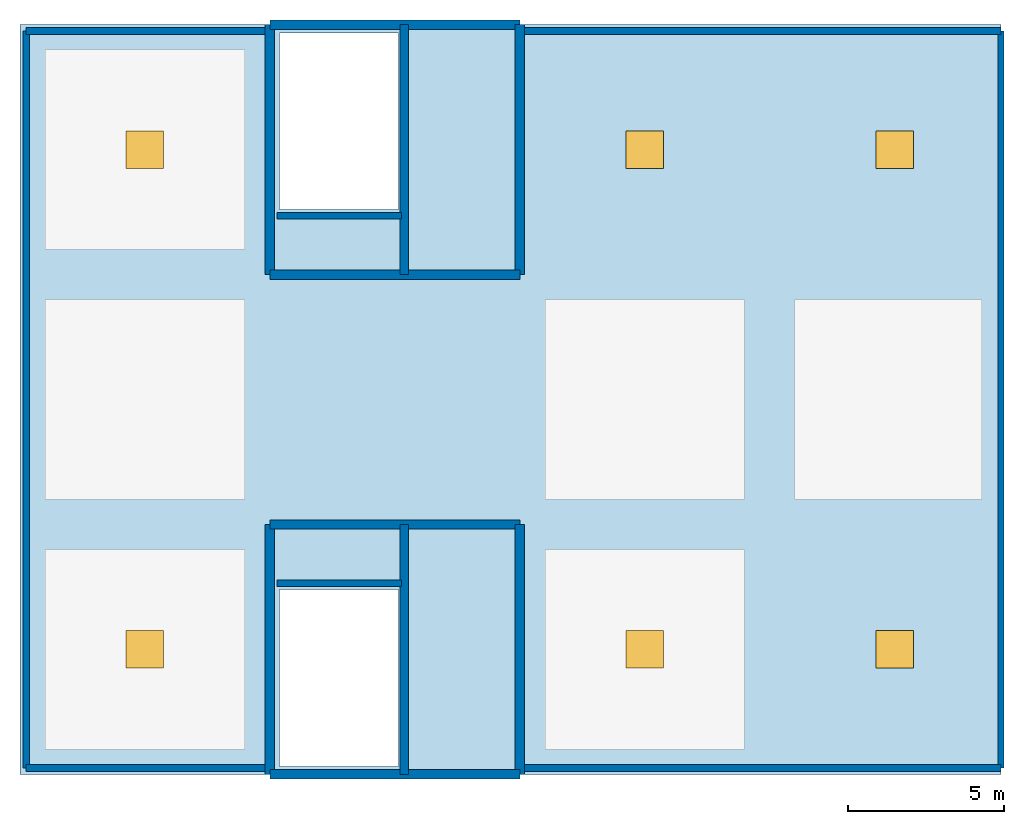
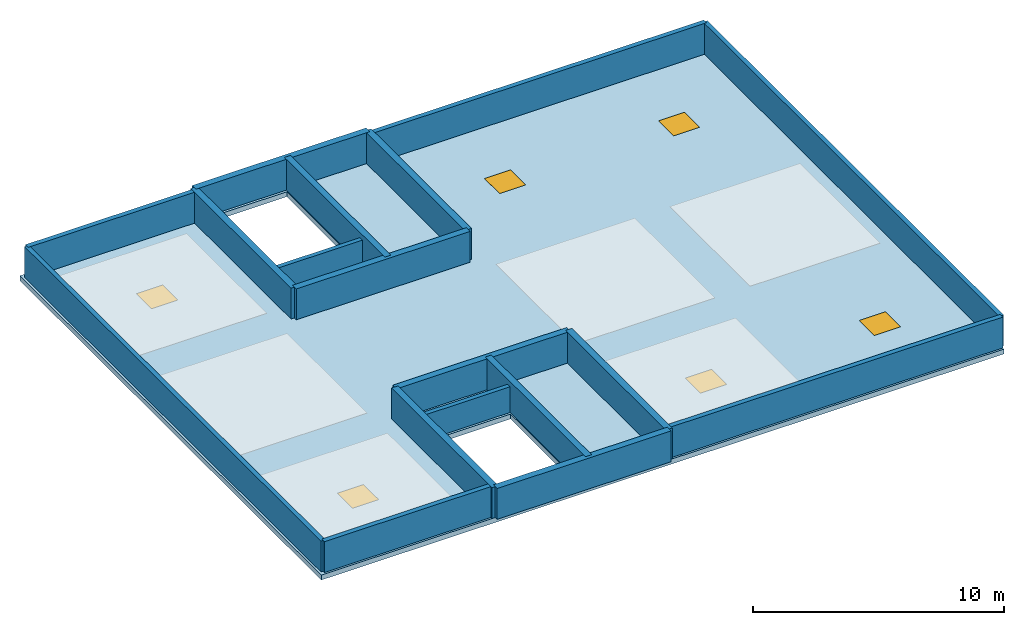
# One storey, part 1 of 2: 18 walls, 6 doors, 1 slab, 6 openings.
"""IFC4 building model written with IfcOpenShell, lengths in metres."""

from ifc_helpers import new_model, si_unit, direction, frame, frame_2d, origin, origin_2d, place, context, subcontext, project, spatial, polyline, rectangle, outline, extrude, material, layer, layer_set, type_object, element, fill, save


model = new_model("IFC4")

# Units and contexts
model_context = context("Model", 3, precision=1e-05, world=origin(), true_north=direction((0.0, 1.0)))
body_context = subcontext(model_context, "Body", "Model", "MODEL_VIEW")
ifc_project = project(units=[si_unit("LENGTHUNIT", "METRE"), si_unit("AREAUNIT", "SQUARE_METRE"), si_unit("VOLUMEUNIT", "CUBIC_METRE"), si_unit("PLANEANGLEUNIT", "RADIAN"), si_unit("MASSUNIT", "GRAM", prefix="KILO")], contexts=[model_context])

# Site, building, storey
site_placement = place(None, origin())
site = spatial("IfcSite", under=ifc_project, at=site_placement, CompositionType="ELEMENT")
building_placement = place(site_placement, origin())
building = spatial("IfcBuilding", under=site, at=building_placement, Name="Canggui Botanical Conservatory", CompositionType="ELEMENT")
storey_placement = place(building_placement, frame((0.0, 0.0, 69.60009765625)))
storey = spatial("IfcBuildingStorey", under=building, at=storey_placement, Name="ROOF", CompositionType="ELEMENT", Elevation=69.60009765625)

# Slab, openings, doors
ifc_material_1 = material(Name="Concrete C35", Category="concrete")
ifc_layer_1 = layer(ifc_material_1, 0.239990234375, Name="Concrete C35", Category="concrete")
ifc_layer_set_1 = layer_set([ifc_layer_1], Name="Concrete C35")
slab_type = type_object("IfcSlabType", Name="SLAB-R240", PredefinedType="ROOF", material=ifc_layer_set_1)
slab_placement = place(storey_placement, frame((0.0, 0.0, -0.239990234375)))
slab = element("IfcSlab", 1, at=slab_placement, inside=storey, type_object=slab_type, Name="Research Tower ROOF Main Roof Slab", PredefinedType="ROOF", context=body_context, shape_type="SweptSolid", body=[
    extrude(outline(polyline([(146.0, 42.0), (177.39990234375, 42.0), (177.39990234375, 66.0), (146.0, 66.0), (146.0, 42.0)]), holes=[polyline([(154.300048828125, 47.91943359375), (154.300048828125, 42.260009765625), (158.1201171875, 42.260009765625), (158.1201171875, 47.91943359375), (154.300048828125, 47.91943359375)]), polyline([(158.1201171875, 60.08056640625), (158.1201171875, 65.739990234375), (154.300048828125, 65.739990234375), (154.300048828125, 60.08056640625), (158.1201171875, 60.08056640625)])]), origin(), (0.0, 0.0, 1.0), 0.239990234375),
])
opening_1_placement = place(slab_placement, frame((150.0, 46.0, 0.0)))
opening_1 = element("IfcOpeningElement", 2, at=opening_1_placement, cuts=slab, Name="Opening RH-01", PredefinedType="OPENING", context=body_context, shape_type="SweptSolid", body=[
    extrude(rectangle(XDim=1.199951171875, YDim=1.199951171875, at=origin_2d()), origin(), (0.0, 0.0, 1.0), 0.239990234375),
])
opening_2_placement = place(slab_placement, frame((150.0, 62.0, 0.0)))
opening_2 = element("IfcOpeningElement", 3, at=opening_2_placement, cuts=slab, Name="Opening RH-01", PredefinedType="OPENING", context=body_context, shape_type="SweptSolid", body=[
    extrude(rectangle(XDim=1.199951171875, YDim=1.199951171875, at=origin_2d()), origin(), (0.0, 0.0, 1.0), 0.239990234375),
])
opening_3_placement = place(slab_placement, frame((166.0, 46.0, 0.0)))
opening_3 = element("IfcOpeningElement", 4, at=opening_3_placement, cuts=slab, Name="Opening RH-01", PredefinedType="OPENING", context=body_context, shape_type="SweptSolid", body=[
    extrude(rectangle(XDim=1.199951171875, YDim=1.199951171875, at=origin_2d()), origin(), (0.0, 0.0, 1.0), 0.239990234375),
])
opening_4_placement = place(slab_placement, frame((166.0, 62.0, 0.0)))
opening_4 = element("IfcOpeningElement", 5, at=opening_4_placement, cuts=slab, Name="Opening RH-01", PredefinedType="OPENING", context=body_context, shape_type="SweptSolid", body=[
    extrude(rectangle(XDim=1.199951171875, YDim=1.199951171875, at=origin_2d()), origin(), (0.0, 0.0, 1.0), 0.239990234375),
])
opening_5_placement = place(slab_placement, frame((174.0, 46.0, 0.0)))
opening_5 = element("IfcOpeningElement", 6, at=opening_5_placement, cuts=slab, Name="Opening RH-01", PredefinedType="OPENING", context=body_context, shape_type="SweptSolid", body=[
    extrude(rectangle(XDim=1.199951171875, YDim=1.199951171875, at=origin_2d()), origin(), (0.0, 0.0, 1.0), 0.239990234375),
])
opening_6_placement = place(slab_placement, frame((174.0, 62.0, 0.0)))
opening_6 = element("IfcOpeningElement", 7, at=opening_6_placement, cuts=slab, Name="Opening RH-01", PredefinedType="OPENING", context=body_context, shape_type="SweptSolid", body=[
    extrude(rectangle(XDim=1.199951171875, YDim=1.199951171875, at=origin_2d()), origin(), (0.0, 0.0, 1.0), 0.239990234375),
])
ifc_material_2 = material(Name="Powder-Coated Steel", Category="steel")
door_type = type_object("IfcDoorType", Name="TRAP-RF01", OperationType="NOTDEFINED", PredefinedType="TRAPDOOR", material=ifc_material_2)
door_1_placement = place(opening_1_placement, frame((0.0, 0.0, 0.18994140625)))
door_1 = element("IfcDoor", 8, at=door_1_placement, inside=storey, type_object=door_type, Name="Roof Smoke Vent and Maintenance Access Hatch RH-01", OperationType="SINGLE_SWING_LEFT", OverallHeight=1.199951171875, OverallWidth=1.199951171875, PredefinedType="TRAPDOOR", context=body_context, shape_type="SweptSolid", body=[
    extrude(rectangle(XDim=1.199951171875, YDim=1.199951171875, at=origin_2d()), origin(), (0.0, 0.0, 1.0), 0.050048828125),
])
fill(opening_1, door_1)
door_2_placement = place(opening_2_placement, frame((0.0, 0.0, 0.18994140625)))
door_2 = element("IfcDoor", 9, at=door_2_placement, inside=storey, type_object=door_type, Name="Roof Smoke Vent and Maintenance Access Hatch RH-02", OperationType="SINGLE_SWING_LEFT", OverallHeight=1.199951171875, OverallWidth=1.199951171875, PredefinedType="TRAPDOOR", context=body_context, shape_type="SweptSolid", body=[
    extrude(rectangle(XDim=1.199951171875, YDim=1.199951171875, at=origin_2d()), origin(), (0.0, 0.0, 1.0), 0.050048828125),
])
fill(opening_2, door_2)
door_3_placement = place(opening_3_placement, frame((0.0, 0.0, 0.18994140625)))
door_3 = element("IfcDoor", 10, at=door_3_placement, inside=storey, type_object=door_type, Name="Roof Smoke Vent and Maintenance Access Hatch RH-03", OperationType="SINGLE_SWING_LEFT", OverallHeight=1.199951171875, OverallWidth=1.199951171875, PredefinedType="TRAPDOOR", context=body_context, shape_type="SweptSolid", body=[
    extrude(rectangle(XDim=1.199951171875, YDim=1.199951171875, at=origin_2d()), origin(), (0.0, 0.0, 1.0), 0.050048828125),
])
fill(opening_3, door_3)
door_4_placement = place(opening_4_placement, frame((0.0, 0.0, 0.18994140625)))
door_4 = element("IfcDoor", 11, at=door_4_placement, inside=storey, type_object=door_type, Name="Roof Smoke Vent and Maintenance Access Hatch RH-04", OperationType="SINGLE_SWING_LEFT", OverallHeight=1.199951171875, OverallWidth=1.199951171875, PredefinedType="TRAPDOOR", context=body_context, shape_type="SweptSolid", body=[
    extrude(rectangle(XDim=1.199951171875, YDim=1.199951171875, at=origin_2d()), origin(), (0.0, 0.0, 1.0), 0.050048828125),
])
fill(opening_4, door_4)
door_5_placement = place(opening_5_placement, frame((0.0, 0.0, 0.18994140625)))
door_5 = element("IfcDoor", 12, at=door_5_placement, inside=storey, type_object=door_type, Name="Roof Smoke Vent and Maintenance Access Hatch RH-05", OperationType="SINGLE_SWING_LEFT", OverallHeight=1.199951171875, OverallWidth=1.199951171875, PredefinedType="TRAPDOOR", context=body_context, shape_type="SweptSolid", body=[
    extrude(rectangle(XDim=1.199951171875, YDim=1.199951171875, at=origin_2d()), origin(), (0.0, 0.0, 1.0), 0.050048828125),
])
fill(opening_5, door_5)
door_6_placement = place(opening_6_placement, frame((0.0, 0.0, 0.18994140625)))
door_6 = element("IfcDoor", 13, at=door_6_placement, inside=storey, type_object=door_type, Name="Roof Smoke Vent and Maintenance Access Hatch RH-06", OperationType="SINGLE_SWING_LEFT", OverallHeight=1.199951171875, OverallWidth=1.199951171875, PredefinedType="TRAPDOOR", context=body_context, shape_type="SweptSolid", body=[
    extrude(rectangle(XDim=1.199951171875, YDim=1.199951171875, at=origin_2d()), origin(), (0.0, 0.0, 1.0), 0.050048828125),
])
fill(opening_6, door_6)

# Walls
ifc_material_3 = material(Name="Precast Concrete C40", Category="concrete")
ifc_layer_2 = layer(ifc_material_3, 0.199951171875, Name="Precast Concrete C40", Category="concrete")
ifc_layer_set_2 = layer_set([ifc_layer_2], Name="Precast Concrete C40")
wall_type_1 = type_object("IfcWallType", Name="PAR-200", PredefinedType="PARAPET", material=ifc_layer_set_2)
for number, where, z_axis, x_axis, name in (
    (14, (146.199951171875, 42.199951171875, 0.0), (0.0, 0.0, 1.0), (0.0, 1.0, 0.0), "Tower Roof Parapet Wall 02"),
    (15, (177.39990234375, 65.800048828125, 0.0), (0.0, 0.0, 1.0), (0.0, -1.0, 0.0), "Tower Roof Parapet Wall 04"),
):
    element("IfcWall", number, at=place(storey_placement, frame(where, z_axis=z_axis, x_axis=x_axis)), inside=storey, type_object=wall_type_1, Name=name, PredefinedType="PARAPET", context=body_context, shape_type="SweptSolid", body=[
        extrude(rectangle(XDim=23.60009765625, YDim=0.199951171875, at=frame_2d((11.800048828125, 0.0))), origin(), (0.0, 0.0, 1.0), 1.5),
    ])
for number, where, z_axis, x_axis, name in (
    (16, (154.219970703125, 48.1201171875, 0.0), (0.0, 0.0, 1.0), (1.0, 0.0, 0.0), "Tower Roof Stair ST-T1 Well Curb Wall"),
    (17, (154.219970703125, 59.8798828125, 0.0), (0.0, 0.0, 1.0), (1.0, 0.0, 0.0), "Tower Roof Stair ST-T2 Well Curb Wall"),
):
    element("IfcWall", number, at=place(storey_placement, frame(where, z_axis=z_axis, x_axis=x_axis)), inside=storey, type_object=wall_type_1, Name=name, PredefinedType="PARAPET", context=body_context, shape_type="SweptSolid", body=[
        extrude(rectangle(XDim=4.0, YDim=0.199951171875, at=frame_2d((2.0, 0.0))), origin(), (0.0, 0.0, 1.0), 1.25),
    ])
ifc_layer_3 = layer(ifc_material_3, 0.219970703125, Name="Precast Concrete C40", Category="concrete")
ifc_layer_set_3 = layer_set([ifc_layer_3], Name="Precast Concrete C40")
wall_type_2 = type_object("IfcWallType", Name="PAR-220", PredefinedType="PARAPET", material=ifc_layer_set_3)
wall_1_placement = place(storey_placement, frame((177.39990234375, 42.199951171875, 0.0), z_axis=(0.0, 0.0, 1.0), x_axis=(-1.0, 0.0, 0.0)))
element("IfcWall", 18, at=wall_1_placement, inside=storey, type_object=wall_type_2, Name="Tower Roof Parapet Wall 01A", PredefinedType="PARAPET", context=body_context, shape_type="SweptSolid", body=[
    extrude(rectangle(XDim=15.25, YDim=0.219970703125, at=frame_2d((7.625, 0.0))), origin(), (0.0, 0.0, 1.0), 1.5),
])
for number, where, z_axis, x_axis, name in (
    (19, (153.85009765625, 42.199951171875, 0.0), (0.0, 0.0, 1.0), (-1.0, 0.0, 0.0), "Tower Roof Parapet Wall 01B"),
    (20, (146.199951171875, 65.800048828125, 0.0), (0.0, 0.0, 1.0), (1.0, 0.0, 0.0), "Tower Roof Parapet Wall 03A"),
):
    element("IfcWall", number, at=place(storey_placement, frame(where, z_axis=z_axis, x_axis=x_axis)), inside=storey, type_object=wall_type_2, Name=name, PredefinedType="PARAPET", context=body_context, shape_type="SweptSolid", body=[
        extrude(rectangle(XDim=7.650146484375, YDim=0.219970703125, at=frame_2d((3.8251953125, 0.0))), origin(), (0.0, 0.0, 1.0), 1.5),
    ])
wall_2_placement = place(storey_placement, frame((162.14990234375, 65.800048828125, 0.0), z_axis=(0.0, 0.0, 1.0), x_axis=(1.0, 0.0, 0.0)))
element("IfcWall", 21, at=wall_2_placement, inside=storey, type_object=wall_type_2, Name="Tower Roof Parapet Wall 03B", PredefinedType="PARAPET", context=body_context, shape_type="SweptSolid", body=[
    extrude(rectangle(XDim=15.25, YDim=0.219970703125, at=frame_2d((7.625, 0.0))), origin(), (0.0, 0.0, 1.0), 1.5),
])
ifc_layer_4 = layer(ifc_material_1, 0.280029296875, Name="Concrete C35", Category="concrete")
ifc_layer_set_4 = layer_set([ifc_layer_4], Name="Concrete C35")
wall_type_3 = type_object("IfcWallType", Name="WALL-SH-280-C35", PredefinedType="SHEAR", material=ifc_layer_set_4)
for number, where, z_axis, x_axis, name in (
    (22, (158.300048828125, 42.0, 0.0), (0.0, 0.0, 1.0), (0.0, 1.0, 0.0), "Core T1 Internal Shear Web ROOF"),
    (23, (158.300048828125, 58.0, 0.0), (0.0, 0.0, 1.0), (0.0, 1.0, 0.0), "Core T2 Internal Shear Web ROOF"),
):
    element("IfcWall", number, at=place(storey_placement, frame(where, z_axis=z_axis, x_axis=x_axis)), inside=storey, type_object=wall_type_3, Name=name, PredefinedType="SHEAR", context=body_context, shape_type="SweptSolid", body=[
        extrude(rectangle(XDim=8.0, YDim=0.280029296875, at=frame_2d((4.0, 0.0))), origin(), (0.0, 0.0, 1.0), 1.5),
    ])
ifc_layer_5 = layer(ifc_material_1, 0.300048828125, Name="Concrete C35", Category="concrete")
ifc_layer_set_5 = layer_set([ifc_layer_5], Name="Concrete C35")
wall_type_4 = type_object("IfcWallType", Name="WALL-SH-300-C35", PredefinedType="SHEAR", material=ifc_layer_set_5)
for number, where, z_axis, x_axis, name in (
    (24, (154.0, 42.0, 0.0), (0.0, 0.0, 1.0), (1.0, 0.0, 0.0), "Core T1 Shear Wall ROOF-S"),
    (25, (162.0, 42.0, 0.0), (0.0, 0.0, 1.0), (0.0, 1.0, 0.0), "Core T1 Shear Wall ROOF-E"),
    (26, (162.0, 50.0, 0.0), (0.0, 0.0, 1.0), (-1.0, 0.0, 0.0), "Core T1 Shear Wall ROOF-N"),
    (27, (154.0, 50.0, 0.0), (0.0, 0.0, 1.0), (0.0, -1.0, 0.0), "Core T1 Shear Wall ROOF-W"),
    (28, (154.0, 58.0, 0.0), (0.0, 0.0, 1.0), (1.0, 0.0, 0.0), "Core T2 Shear Wall ROOF-S"),
    (29, (162.0, 58.0, 0.0), (0.0, 0.0, 1.0), (0.0, 1.0, 0.0), "Core T2 Shear Wall ROOF-E"),
    (30, (162.0, 66.0, 0.0), (0.0, 0.0, 1.0), (-1.0, 0.0, 0.0), "Core T2 Shear Wall ROOF-N"),
    (31, (154.0, 66.0, 0.0), (0.0, 0.0, 1.0), (0.0, -1.0, 0.0), "Core T2 Shear Wall ROOF-W"),
):
    element("IfcWall", number, at=place(storey_placement, frame(where, z_axis=z_axis, x_axis=x_axis)), inside=storey, type_object=wall_type_4, Name=name, PredefinedType="SHEAR", context=body_context, shape_type="SweptSolid", body=[
        extrude(rectangle(XDim=8.0, YDim=0.300048828125, at=frame_2d((4.0, 0.0))), origin(), (0.0, 0.0, 1.0), 1.5),
    ])

save(model, "model.ifc")
